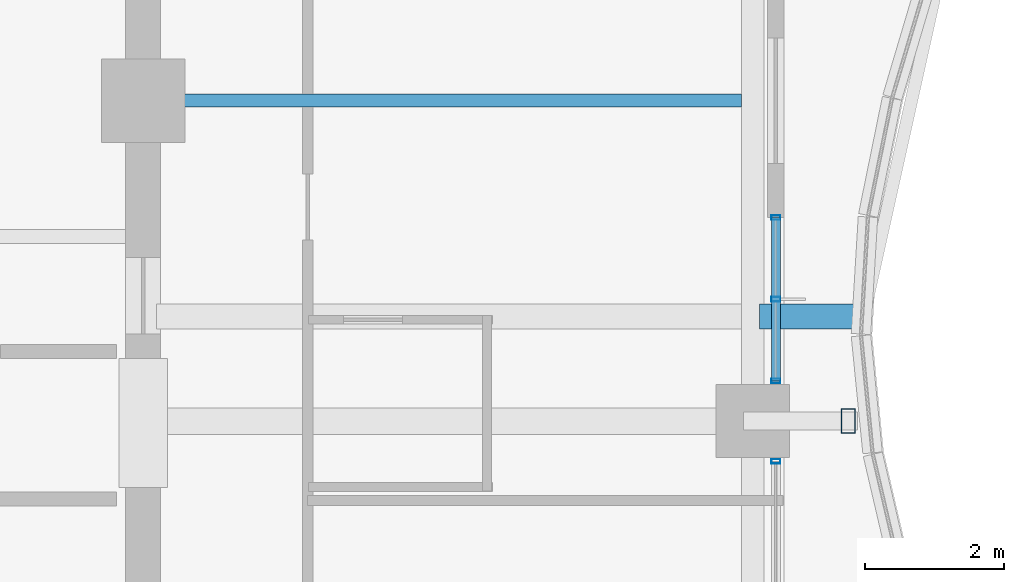
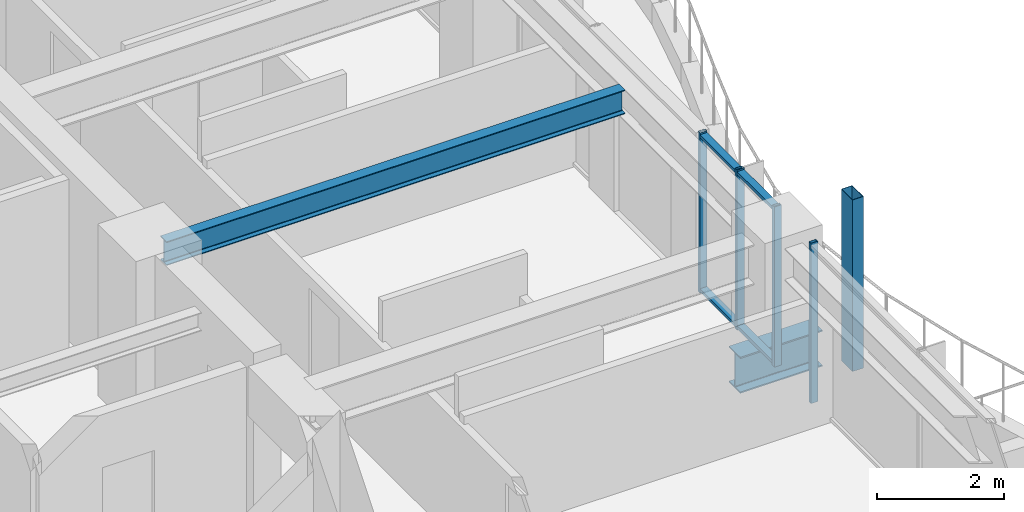
# One storey, part 16 of 38: 7 members, 2 beams, 2 elements without a shape of their own.
"""IFC4 building model written with IfcOpenShell, lengths in metres."""

from ifc_helpers import new_model, si_unit, direction, frame, origin, origin_2d, place, context, subcontext, project, spatial, hollow_rectangle, i_section, extrude, material, material_profile, profile_set, type_object, element, aggregate, save


model = new_model("IFC4")

# Units and contexts
model_context = context("Model", 3, precision=1e-05, world=origin(), true_north=direction((0.0, 1.0)))
body_context = subcontext(model_context, "Body", "Model", "MODEL_VIEW")
ifc_project = project(units=[si_unit("LENGTHUNIT", "METRE"), si_unit("AREAUNIT", "SQUARE_METRE"), si_unit("VOLUMEUNIT", "CUBIC_METRE"), si_unit("PLANEANGLEUNIT", "RADIAN"), si_unit("MASSUNIT", "GRAM", prefix="KILO")], contexts=[model_context])

# Site, building, storey
site_placement = place(None, origin())
site = spatial("IfcSite", under=ifc_project, at=site_placement, CompositionType="ELEMENT")
building_placement = place(site_placement, origin())
building = spatial("IfcBuilding", under=site, at=building_placement, Name="Kolvaren Belvedere", CompositionType="ELEMENT")
storey_placement = place(building_placement, frame((0.0, 0.0, 121.699951171875)))
storey = spatial("IfcBuildingStorey", under=building, at=storey_placement, Name="L35", CompositionType="ELEMENT", Elevation=121.699951171875)

# Beams
ifc_material_1 = material(Name="Structural steel ASTM A992 Grade 50", Category="steel")
ifc_material_profile_1 = material_profile(ifc_material_1, i_section(OverallWidth=0.35498046875, OverallDepth=0.696044921875, WebThickness=0.015380859375, FlangeThickness=0.02490234375, FilletRadius=0.02197265625, at=origin_2d()), Name="W27X146")
ifc_profile_set_1 = profile_set([ifc_material_profile_1], Name="Structural steel ASTM A992 Grade 50")
beam_type_1 = type_object("IfcBeamType", Name="BM-CANT-BAL", PredefinedType="BEAM", material=ifc_profile_set_1)
beam_1_placement = place(storey_placement, frame((18.7451171875, -3.10009765625, -0.56787109375), z_axis=(1.0, 0.0, 0.0), x_axis=(0.0, 1.0, 0.0)))
element("IfcBeam", 1, at=beam_1_placement, inside=storey, type_object=beam_type_1, Name="L35 Planted Balcony Cantilever BAL-E-1", PredefinedType="BEAM", context=body_context, shape_type="SweptSolid", body=[
    extrude(i_section(OverallWidth=0.35498046875, OverallDepth=0.696044921875, WebThickness=0.015380859375, FlangeThickness=0.02490234375, FilletRadius=0.02197265625, at=origin_2d()), origin(), (0.0, 0.0, 1.0), 1.49267578125),
])
ifc_material_2 = material(Name="Structural steel ASTM A992 Grade 50", Category="steel")
ifc_material_profile_2 = material_profile(ifc_material_2, i_section(OverallWidth=0.19091796875, OverallDepth=0.4599609375, WebThickness=0.010009765625, FlangeThickness=0.01611328125, FilletRadius=0.014892578125, at=origin_2d()), Name="W18X55")
ifc_profile_set_2 = profile_set([ifc_material_profile_2], Name="Structural steel ASTM A992 Grade 50")
beam_type_2 = type_object("IfcBeamType", Name="BM-JOIST-W18X55", PredefinedType="BEAM", material=ifc_profile_set_2)
beam_2_placement = place(storey_placement, frame((10.14990234375, 0.0, 2.85009765625), z_axis=(1.0, 0.0, 0.0), x_axis=(0.0, 1.0, 0.0)))
element("IfcBeam", 2, at=beam_2_placement, inside=storey, type_object=beam_type_2, Name="L35 East Centre Floor Beam", PredefinedType="BEAM", context=body_context, shape_type="SweptSolid", body=[
    extrude(i_section(OverallWidth=0.19091796875, OverallDepth=0.4599609375, WebThickness=0.010009765625, FlangeThickness=0.01611328125, FilletRadius=0.014892578125, at=origin_2d()), origin(), (0.0, 0.0, 1.0), 8.337646484375),
])

# Curtain wall, members
ifc_material_3 = material(Name="Anodised pale-metal aluminium AA 6063-T6", Category="aluminium")
curtain_wall_type = type_object("IfcCurtainWallType", Name="CW-Z3-WAIST", PredefinedType="NOTDEFINED", material=ifc_material_3)
curtain_wall_1_placement = place(storey_placement, origin())
curtain_wall_1 = element("IfcCurtainWall", 3, at=curtain_wall_1_placement, inside=storey, type_object=curtain_wall_type, Name="L35 Unitised Curtain Wall FCW-L35-E2-B1", PredefinedType="NOTDEFINED")
ifc_material_4 = material(Name="Anodised pale-metal aluminium AA 6063-T6", Category="aluminium")
ifc_material_profile_3 = material_profile(ifc_material_4, hollow_rectangle(XDim=0.06494140625, YDim=0.1298828125, WallThickness=0.00390625, at=origin_2d()), Name="ALU-MUL-130X65")
ifc_profile_set_3 = profile_set([ifc_material_profile_3], Name="Anodised pale-metal aluminium AA 6063-T6")
member_type_1 = type_object("IfcMemberType", Name="CW-MUL-130", PredefinedType="MULLION", material=ifc_profile_set_3)
member_1_placement = place(storey_placement, frame((18.97998046875, -1.679931640625, 0.0), z_axis=(0.0, 0.0, 1.0), x_axis=(0.0, 1.0, 0.0)))
member_1 = element("IfcMember", 4, at=member_1_placement, type_object=member_type_1, Name="FCW-L35-E2-B1 Unitised Mullion 1", PredefinedType="MULLION", context=body_context, shape_type="SweptSolid", body=[
    extrude(hollow_rectangle(XDim=0.06494140625, YDim=0.1298828125, WallThickness=0.00390625, at=origin_2d()), origin(), (0.0, 0.0, 1.0), 3.080078125),
])
member_2_placement = place(storey_placement, frame((18.97998046875, -2.851318359375, 0.0), z_axis=(0.0, 0.0, 1.0), x_axis=(0.0, 1.0, 0.0)))
member_2 = element("IfcMember", 5, at=member_2_placement, type_object=member_type_1, Name="FCW-L35-E2-B1 Unitised Mullion 2", PredefinedType="MULLION", context=body_context, shape_type="SweptSolid", body=[
    extrude(hollow_rectangle(XDim=0.06494140625, YDim=0.1298828125, WallThickness=0.00390625, at=origin_2d()), origin(), (0.0, 0.0, 1.0), 3.080078125),
])
member_3_placement = place(storey_placement, frame((18.97998046875, -4.0224609375, 0.0), z_axis=(0.0, 0.0, 1.0), x_axis=(0.0, 1.0, 0.0)))
member_3 = element("IfcMember", 6, at=member_3_placement, type_object=member_type_1, Name="FCW-L35-E2-B1 Unitised Mullion 3", PredefinedType="MULLION", context=body_context, shape_type="SweptSolid", body=[
    extrude(hollow_rectangle(XDim=0.06494140625, YDim=0.1298828125, WallThickness=0.00390625, at=origin_2d()), origin(), (0.0, 0.0, 1.0), 3.080078125),
])

# Curtain wall, member
curtain_wall_2_placement = place(storey_placement, origin())
curtain_wall_2 = element("IfcCurtainWall", 7, at=curtain_wall_2_placement, inside=storey, type_object=curtain_wall_type, Name="L35 Unitised Curtain Wall FCW-L35-E2-B2", PredefinedType="NOTDEFINED")
member_4_placement = place(storey_placement, frame((18.97998046875, -5.177490234375, 0.0), z_axis=(0.0, 0.0, 1.0), x_axis=(0.0, 1.0, 0.0)))
member_4 = element("IfcMember", 8, at=member_4_placement, type_object=member_type_1, Name="FCW-L35-E2-B2 Unitised Mullion 1", PredefinedType="MULLION", context=body_context, shape_type="SweptSolid", body=[
    extrude(hollow_rectangle(XDim=0.06494140625, YDim=0.1298828125, WallThickness=0.00390625, at=origin_2d()), origin(), (0.0, 0.0, 1.0), 3.080078125),
])
aggregate(curtain_wall_2, [member_4])

# Member
ifc_material_5 = material(Name="Anodised pale-metal aluminium AA 6063-T6", Category="aluminium")
ifc_material_profile_4 = material_profile(ifc_material_5, hollow_rectangle(XDim=0.06005859375, YDim=0.1298828125, WallThickness=0.00390625, at=origin_2d()), Name="ALU-TRN-130X60")
ifc_profile_set_4 = profile_set([ifc_material_profile_4], Name="Anodised pale-metal aluminium AA 6063-T6")
member_type_2 = type_object("IfcMemberType", Name="CW-TRN-130", PredefinedType="USERDEFINED", material=ifc_profile_set_4)
member_5_placement = place(storey_placement, frame((18.97998046875, -1.679931640625, 0.06005859375), z_axis=(0.0, -1.0, 0.0), x_axis=(0.0, 0.0, 1.0)))
member_5 = element("IfcMember", 9, at=member_5_placement, type_object=member_type_2, Name="FCW-L35-E2-B1 Sill Transom", ObjectType="TRANSOM", PredefinedType="USERDEFINED", context=body_context, shape_type="SweptSolid", body=[
    extrude(hollow_rectangle(XDim=0.06005859375, YDim=0.1298828125, WallThickness=0.00390625, at=origin_2d()), origin(), (0.0, 0.0, 1.0), 2.342529296875),
])

member_6_placement = place(storey_placement, frame((18.97998046875, -1.679931640625, 3.02001953125), z_axis=(0.0, -1.0, 0.0), x_axis=(0.0, 0.0, 1.0)))
member_6 = element("IfcMember", 10, at=member_6_placement, type_object=member_type_2, Name="FCW-L35-E2-B1 Head Transom", ObjectType="TRANSOM", PredefinedType="USERDEFINED", context=body_context, shape_type="SweptSolid", body=[
    extrude(hollow_rectangle(XDim=0.06005859375, YDim=0.1298828125, WallThickness=0.00390625, at=origin_2d()), origin(), (0.0, 0.0, 1.0), 2.342529296875),
])

aggregate(curtain_wall_1, [member_1, member_2, member_3, member_5, member_6])

ifc_material_6 = material(Name="Anodised pale-metal aluminium AA 6063-T6", Category="aluminium")
ifc_material_profile_5 = material_profile(ifc_material_6, hollow_rectangle(XDim=0.199951171875, YDim=0.35009765625, WallThickness=0.007568359375, at=origin_2d()), Name="ALU-PF-350X200")
ifc_profile_set_5 = profile_set([ifc_material_profile_5], Name="Anodised pale-metal aluminium AA 6063-T6")
member_type_3 = type_object("IfcMemberType", Name="PF-FRAME-350", PredefinedType="USERDEFINED", material=ifc_profile_set_5)
member_7_placement = place(storey_placement, frame((20.02001953125, -4.60009765625, 0.0), z_axis=(0.0, 0.0, 1.0), x_axis=(1.0, 0.0, 0.0)))
element("IfcMember", 11, at=member_7_placement, inside=storey, type_object=member_type_3, Name="L35 Outboard Picture-Frame Vertical E2", ObjectType="PICTURE FRAME FIN", PredefinedType="USERDEFINED", context=body_context, shape_type="SweptSolid", body=[
    extrude(hollow_rectangle(XDim=0.199951171875, YDim=0.35009765625, WallThickness=0.007568359375, at=origin_2d()), origin(), (0.0, 0.0, 1.0), 3.300048828125),
])

save(model, "model.ifc")
